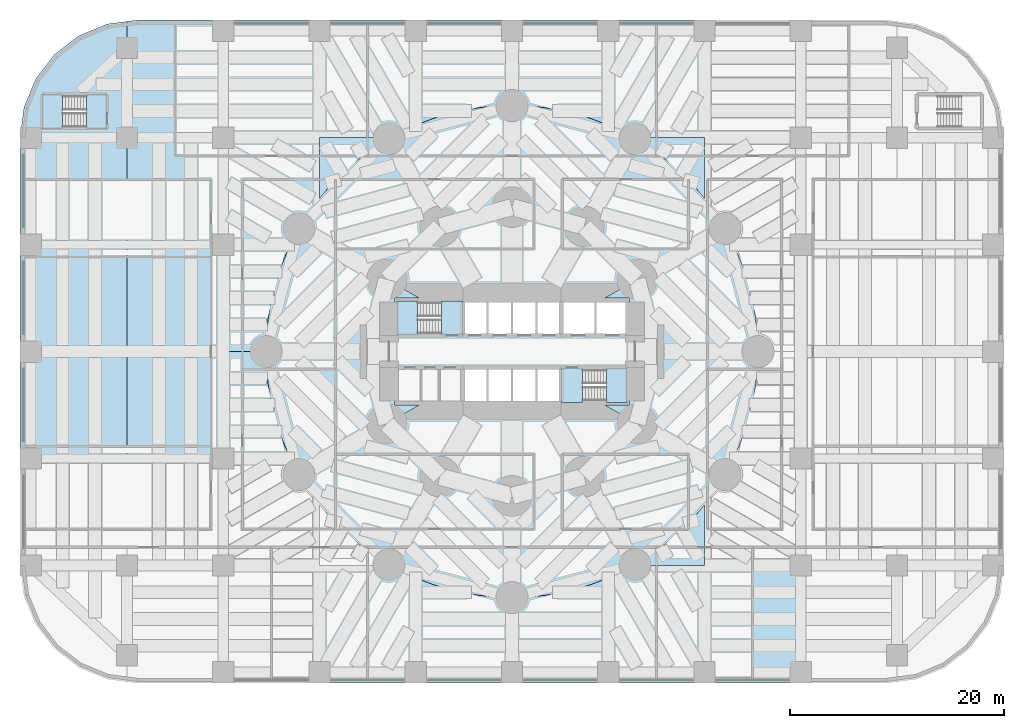
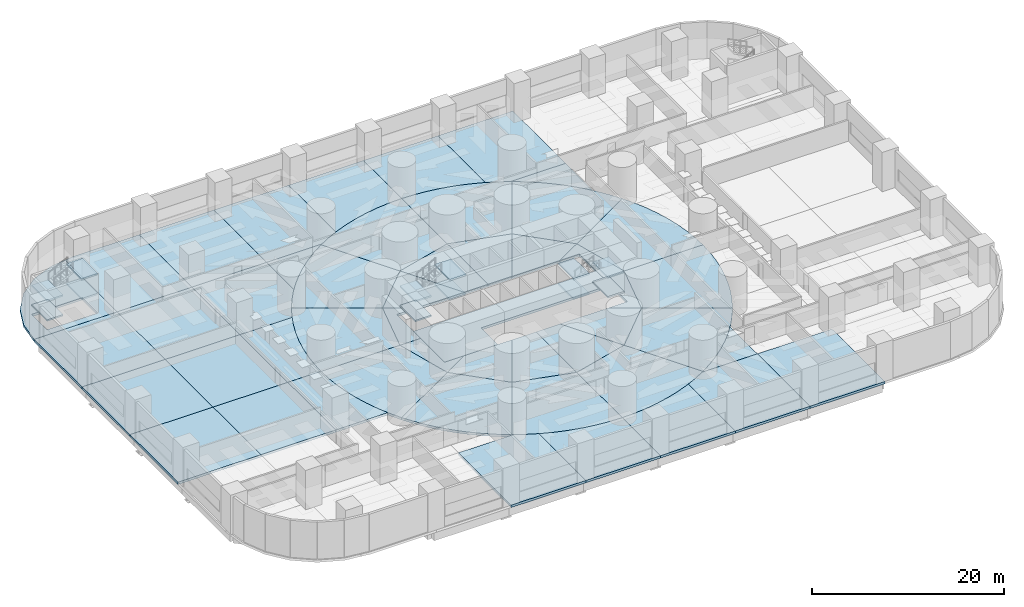
# One storey, part 5 of 17: 61 slabs, 3 elements without a shape of their own.
"""IFC4 building model written with IfcOpenShell, lengths in metres."""

from ifc_helpers import new_model, si_unit, direction, frame, origin, place, context, subcontext, project, spatial, polyline, outline, extrude, material, layer, layer_set, type_object, element, aggregate, save


model = new_model("IFC4")

# Units and contexts
model_context = context("Model", 3, precision=1e-05, world=origin(), true_north=direction((0.0, 1.0)))
body_context = subcontext(model_context, "Body", "Model", "MODEL_VIEW")
ifc_project = project(units=[si_unit("LENGTHUNIT", "METRE"), si_unit("AREAUNIT", "SQUARE_METRE"), si_unit("VOLUMEUNIT", "CUBIC_METRE"), si_unit("PLANEANGLEUNIT", "RADIAN"), si_unit("MASSUNIT", "GRAM", prefix="KILO")], contexts=[model_context])

# Site, building, storey
site_placement = place(None, origin())
site = spatial("IfcSite", under=ifc_project, at=site_placement, CompositionType="ELEMENT")
building_placement = place(site_placement, origin())
building = spatial("IfcBuilding", under=site, at=building_placement, Name="Qaws Media Tower", CompositionType="ELEMENT")
storey_placement = place(building_placement, frame((0.0, 0.0, 15.0)))
storey = spatial("IfcBuildingStorey", under=building, at=storey_placement, Name="L02", CompositionType="ELEMENT", Elevation=15.0)

# Slabs
ifc_material_1 = material(Name="Concrete C40/50", Category="concrete")
ifc_layer_1 = layer(ifc_material_1, 0.300048828125)
ifc_layer_set_1 = layer_set([ifc_layer_1], Name="Podium slab 300")
slab_type_1 = type_object("IfcSlabType", Name="Podium slab 300", PredefinedType="FLOOR", material=ifc_layer_set_1)
slab_1_placement = place(storey_placement, frame((0.0, 0.0, -0.300048828125)))
element("IfcSlab", 1, at=slab_1_placement, inside=storey, type_object=slab_type_1, Name="S3 slab L02 bay 1-2/C-D", PredefinedType="FLOOR", context=body_context, shape_type="SweptSolid", body=[
    extrude(outline(polyline([(14.0, 50.0), (24.0, 50.0), (24.0, 40.0), (14.0, 40.0), (14.0, 50.0)])), origin(), (0.0, 0.0, 1.0), 0.300048828125),
])
slab_2_placement = place(storey_placement, frame((0.0, 0.0, -0.300048828125)))
element("IfcSlab", 2, at=slab_2_placement, inside=storey, type_object=slab_type_1, Name="S3 slab L02 bay 1-2/D-E", PredefinedType="FLOOR", context=body_context, shape_type="SweptSolid", body=[
    extrude(outline(polyline([(14.0, 60.0), (24.0, 60.0), (24.0, 50.0), (14.0, 50.0), (14.0, 60.0)])), origin(), (0.0, 0.0, 1.0), 0.300048828125),
])
slab_3_placement = place(storey_placement, frame((0.0, 0.0, -0.300048828125)))
element("IfcSlab", 3, at=slab_3_placement, inside=storey, type_object=slab_type_1, Name="S3 slab L02 bay 1-2/E-F", PredefinedType="FLOOR", context=body_context, shape_type="SweptSolid", body=[
    extrude(outline(polyline([(14.0, 70.0), (24.0, 70.0), (24.0, 60.0), (14.0, 60.0), (14.0, 70.0)])), origin(), (0.0, 0.0, 1.0), 0.300048828125),
])
slab_4_placement = place(storey_placement, frame((0.0, 0.0, -0.300048828125)))
element("IfcSlab", 4, at=slab_4_placement, inside=storey, type_object=slab_type_1, Name="S3 slab L02 bay 1-2/F-G", PredefinedType="FLOOR", context=body_context, shape_type="SweptSolid", body=[
    extrude(outline(polyline([(14.374755859375, 72.846923828125), (15.4736328125, 75.5), (17.2216796875, 77.7783203125), (19.5, 79.5263671875), (22.153076171875, 80.625244140625), (24.0, 80.868408203125), (24.0, 70.0), (14.0, 70.0), (14.374755859375, 72.846923828125)]), holes=[polyline([(16.050048828125, 70.85009765625), (22.14990234375, 70.85009765625), (22.14990234375, 74.050048828125), (16.050048828125, 74.050048828125), (16.050048828125, 70.85009765625)])]), origin(), (0.0, 0.0, 1.0), 0.300048828125),
])
slab_5_placement = place(storey_placement, frame((0.0, 0.0, -0.300048828125)))
element("IfcSlab", 5, at=slab_5_placement, inside=storey, type_object=slab_type_1, Name="S3 slab L02 bay 2-3/C-D", PredefinedType="FLOOR", context=body_context, shape_type="SweptSolid", body=[
    extrude(outline(polyline([(24.0, 40.0), (24.0, 50.0), (33.0, 50.0), (33.0, 40.0), (24.0, 40.0)])), origin(), (0.0, 0.0, 1.0), 0.300048828125),
])
slab_6_placement = place(storey_placement, frame((0.0, 0.0, -0.300048828125)))
element("IfcSlab", 6, at=slab_6_placement, inside=storey, type_object=slab_type_1, Name="S3 slab L02 bay 2-3/D-E", PredefinedType="FLOOR", context=body_context, shape_type="SweptSolid", body=[
    extrude(outline(polyline([(24.0, 50.0), (24.0, 60.0), (33.0, 60.0), (33.0, 50.0), (24.0, 50.0)])), origin(), (0.0, 0.0, 1.0), 0.300048828125),
])
slab_7_placement = place(storey_placement, frame((0.0, 0.0, -0.300048828125)))
element("IfcSlab", 7, at=slab_7_placement, inside=storey, type_object=slab_type_1, Name="S3 slab L02 bay 2-3/E-F", PredefinedType="FLOOR", context=body_context, shape_type="SweptSolid", body=[
    extrude(outline(polyline([(24.0, 60.0), (24.0, 70.0), (33.0, 70.0), (33.0, 60.0), (24.0, 60.0)])), origin(), (0.0, 0.0, 1.0), 0.300048828125),
])
slab_8_placement = place(storey_placement, frame((0.0, 0.0, -0.300048828125)))
element("IfcSlab", 8, at=slab_8_placement, inside=storey, type_object=slab_type_1, Name="S3 slab L02 bay 2-3/F-G", PredefinedType="FLOOR", context=body_context, shape_type="SweptSolid", body=[
    extrude(outline(polyline([(25.0, 81.0), (33.0, 81.0), (33.0, 70.0), (24.0, 70.0), (24.0, 80.868408203125), (25.0, 81.0)])), origin(), (0.0, 0.0, 1.0), 0.300048828125),
])
slab_9_placement = place(storey_placement, frame((0.0, 0.0, -0.300048828125)))
element("IfcSlab", 9, at=slab_9_placement, inside=storey, type_object=slab_type_1, Name="S3 slab L02 bay 3-4/C-D", PredefinedType="FLOOR", context=body_context, shape_type="SweptSolid", body=[
    extrude(outline(polyline([(37.04931640625, 48.49560546875), (37.19677734375, 46.997802734375), (37.44189453125, 45.512939453125), (37.78369140625, 44.047119140625), (38.220703125, 42.60693359375), (38.750732421875, 41.1982421875), (39.293701171875, 40.0), (33.0, 40.0), (33.0, 50.0), (37.0, 50.0), (37.04931640625, 48.49560546875)])), origin(), (0.0, 0.0, 1.0), 0.300048828125),
])
slab_10_placement = place(storey_placement, frame((0.0, 0.0, -0.300048828125)))
element("IfcSlab", 10, at=slab_10_placement, inside=storey, type_object=slab_type_1, Name="S3 slab L02 bay 3-4/D-E", PredefinedType="FLOOR", context=body_context, shape_type="SweptSolid", body=[
    extrude(outline(polyline([(38.750732421875, 58.8017578125), (38.220703125, 57.39306640625), (37.78369140625, 55.952880859375), (37.44189453125, 54.487060546875), (37.19677734375, 53.002197265625), (37.04931640625, 51.50439453125), (37.0, 50.0), (33.0, 50.0), (33.0, 60.0), (39.293701171875, 60.0), (38.750732421875, 58.8017578125)])), origin(), (0.0, 0.0, 1.0), 0.300048828125),
])
slab_11_placement = place(storey_placement, frame((0.0, 0.0, -0.300048828125)))
element("IfcSlab", 11, at=slab_11_placement, inside=storey, type_object=slab_type_1, Name="S3 slab L02 bay 3-4/E-F", PredefinedType="FLOOR", context=body_context, shape_type="SweptSolid", body=[
    extrude(outline(polyline([(41.7529296875, 64.00146484375), (40.876220703125, 62.778076171875), (40.081298828125, 61.5), (39.371826171875, 60.172607421875), (39.293701171875, 60.0), (33.0, 60.0), (33.0, 70.0), (42.0, 70.0), (42.0, 64.302490234375), (41.7529296875, 64.00146484375)])), origin(), (0.0, 0.0, 1.0), 0.300048828125),
])
slab_12_placement = place(storey_placement, frame((0.0, 0.0, -0.300048828125)))
element("IfcSlab", 12, at=slab_12_placement, inside=storey, type_object=slab_type_1, Name="S3 slab L02 bay 3-4/F-G", PredefinedType="FLOOR", context=body_context, shape_type="SweptSolid", body=[
    extrude(outline(polyline([(42.0, 81.0), (42.0, 70.0), (33.0, 70.0), (33.0, 81.0), (42.0, 81.0)])), origin(), (0.0, 0.0, 1.0), 0.300048828125),
])
slab_13_placement = place(storey_placement, frame((0.0, 0.0, -0.300048828125)))
element("IfcSlab", 13, at=slab_13_placement, inside=storey, type_object=slab_type_1, Name="S3 slab L02 bay 4-5/A-B", PredefinedType="FLOOR", context=body_context, shape_type="SweptSolid", body=[
    extrude(outline(polyline([(42.0, 19.0), (42.0, 30.0), (48.65234375, 30.0), (49.827392578125, 29.371826171875), (51.0, 28.840576171875), (51.0, 19.0), (42.0, 19.0)])), origin(), (0.0, 0.0, 1.0), 0.300048828125),
])
slab_14_placement = place(storey_placement, frame((0.0, 0.0, -0.300048828125)))
element("IfcSlab", 14, at=slab_14_placement, inside=storey, type_object=slab_type_1, Name="S3 slab L02 bay 4-5/E-F", PredefinedType="FLOOR", context=body_context, shape_type="SweptSolid", body=[
    extrude(outline(polyline([(48.5, 69.918701171875), (47.221923828125, 69.123779296875), (45.99853515625, 68.2470703125), (44.8349609375, 67.292236328125), (43.736572265625, 66.263427734375), (42.707763671875, 65.1650390625), (42.0, 64.302490234375), (42.0, 70.0), (48.65234375, 70.0), (48.5, 69.918701171875)])), origin(), (0.0, 0.0, 1.0), 0.300048828125),
])
slab_15_placement = place(storey_placement, frame((0.0, 0.0, -0.300048828125)))
element("IfcSlab", 15, at=slab_15_placement, inside=storey, type_object=slab_type_1, Name="S3 slab L02 bay 4-5/F-G", PredefinedType="FLOOR", context=body_context, shape_type="SweptSolid", body=[
    extrude(outline(polyline([(51.0, 81.0), (51.0, 71.159423828125), (49.827392578125, 70.628173828125), (48.65234375, 70.0), (42.0, 70.0), (42.0, 81.0), (51.0, 81.0)])), origin(), (0.0, 0.0, 1.0), 0.300048828125),
])
slab_16_placement = place(storey_placement, frame((0.0, 0.0, -0.300048828125)))
element("IfcSlab", 16, at=slab_16_placement, inside=storey, type_object=slab_type_1, Name="S3 slab L02 bay 5-6/A-B", PredefinedType="FLOOR", context=body_context, shape_type="SweptSolid", body=[
    extrude(outline(polyline([(51.0, 19.0), (51.0, 28.840576171875), (51.1982421875, 28.750732421875), (52.60693359375, 28.220703125), (54.047119140625, 27.78369140625), (55.512939453125, 27.44189453125), (56.997802734375, 27.19677734375), (58.49560546875, 27.04931640625), (60.0, 27.0), (60.0, 19.0), (51.0, 19.0)])), origin(), (0.0, 0.0, 1.0), 0.300048828125),
])
slab_17_placement = place(storey_placement, frame((0.0, 0.0, -0.300048828125)))
element("IfcSlab", 17, at=slab_17_placement, inside=storey, type_object=slab_type_1, Name="S3 slab L02 bay 5-6/F-G", PredefinedType="FLOOR", context=body_context, shape_type="SweptSolid", body=[
    extrude(outline(polyline([(60.0, 81.0), (60.0, 73.0), (58.49560546875, 72.95068359375), (56.997802734375, 72.80322265625), (55.512939453125, 72.55810546875), (54.047119140625, 72.21630859375), (52.60693359375, 71.779296875), (51.1982421875, 71.249267578125), (51.0, 71.159423828125), (51.0, 81.0), (60.0, 81.0)])), origin(), (0.0, 0.0, 1.0), 0.300048828125),
])
slab_18_placement = place(storey_placement, frame((0.0, 0.0, -0.300048828125)))
element("IfcSlab", 18, at=slab_18_placement, inside=storey, type_object=slab_type_1, Name="S3 slab L02 bay 6-7/A-B", PredefinedType="FLOOR", context=body_context, shape_type="SweptSolid", body=[
    extrude(outline(polyline([(60.0, 19.0), (60.0, 27.0), (61.50439453125, 27.04931640625), (63.002197265625, 27.19677734375), (64.487060546875, 27.44189453125), (65.952880859375, 27.78369140625), (67.39306640625, 28.220703125), (68.8017578125, 28.750732421875), (69.0, 28.840576171875), (69.0, 19.0), (60.0, 19.0)])), origin(), (0.0, 0.0, 1.0), 0.300048828125),
])
slab_19_placement = place(storey_placement, frame((0.0, 0.0, -0.300048828125)))
element("IfcSlab", 19, at=slab_19_placement, inside=storey, type_object=slab_type_1, Name="S3 slab L02 bay 6-7/F-G", PredefinedType="FLOOR", context=body_context, shape_type="SweptSolid", body=[
    extrude(outline(polyline([(69.0, 81.0), (69.0, 71.159423828125), (68.8017578125, 71.249267578125), (67.39306640625, 71.779296875), (65.952880859375, 72.21630859375), (64.487060546875, 72.55810546875), (63.002197265625, 72.80322265625), (61.50439453125, 72.95068359375), (60.0, 73.0), (60.0, 81.0), (69.0, 81.0)])), origin(), (0.0, 0.0, 1.0), 0.300048828125),
])
slab_20_placement = place(storey_placement, frame((0.0, 0.0, -0.300048828125)))
element("IfcSlab", 20, at=slab_20_placement, inside=storey, type_object=slab_type_1, Name="S3 slab L02 bay 7-8/A-B", PredefinedType="FLOOR", context=body_context, shape_type="SweptSolid", body=[
    extrude(outline(polyline([(69.0, 19.0), (69.0, 28.840576171875), (70.172607421875, 29.371826171875), (71.34765625, 30.0), (78.0, 30.0), (78.0, 19.0), (69.0, 19.0)])), origin(), (0.0, 0.0, 1.0), 0.300048828125),
])
slab_21_placement = place(storey_placement, frame((0.0, 0.0, -0.300048828125)))
element("IfcSlab", 21, at=slab_21_placement, inside=storey, type_object=slab_type_1, Name="S3 slab L02 bay 7-8/B-C", PredefinedType="FLOOR", context=body_context, shape_type="SweptSolid", body=[
    extrude(outline(polyline([(71.5, 30.081298828125), (72.778076171875, 30.876220703125), (74.00146484375, 31.7529296875), (75.1650390625, 32.707763671875), (76.263427734375, 33.736572265625), (77.292236328125, 34.8349609375), (78.0, 35.697509765625), (78.0, 30.0), (71.34765625, 30.0), (71.5, 30.081298828125)])), origin(), (0.0, 0.0, 1.0), 0.300048828125),
])
slab_22_placement = place(storey_placement, frame((0.0, 0.0, -0.300048828125)))
element("IfcSlab", 22, at=slab_22_placement, inside=storey, type_object=slab_type_1, Name="S3 slab L02 bay 7-8/E-F", PredefinedType="FLOOR", context=body_context, shape_type="SweptSolid", body=[
    extrude(outline(polyline([(77.292236328125, 65.1650390625), (76.263427734375, 66.263427734375), (75.1650390625, 67.292236328125), (74.00146484375, 68.2470703125), (72.778076171875, 69.123779296875), (71.5, 69.918701171875), (71.34765625, 70.0), (78.0, 70.0), (78.0, 64.302490234375), (77.292236328125, 65.1650390625)])), origin(), (0.0, 0.0, 1.0), 0.300048828125),
])
slab_23_placement = place(storey_placement, frame((0.0, 0.0, -0.300048828125)))
element("IfcSlab", 23, at=slab_23_placement, inside=storey, type_object=slab_type_1, Name="S3 slab L02 bay 7-8/F-G", PredefinedType="FLOOR", context=body_context, shape_type="SweptSolid", body=[
    extrude(outline(polyline([(78.0, 81.0), (78.0, 70.0), (71.34765625, 70.0), (70.172607421875, 70.628173828125), (69.0, 71.159423828125), (69.0, 81.0), (78.0, 81.0)])), origin(), (0.0, 0.0, 1.0), 0.300048828125),
])
slab_24_placement = place(storey_placement, frame((0.0, 0.0, -0.300048828125)))
element("IfcSlab", 24, at=slab_24_placement, inside=storey, type_object=slab_type_1, Name="S3 slab L02 bay 8-9/A-B", PredefinedType="FLOOR", context=body_context, shape_type="SweptSolid", body=[
    extrude(outline(polyline([(78.0, 19.0), (78.0, 30.0), (87.0, 30.0), (87.0, 19.0), (78.0, 19.0)])), origin(), (0.0, 0.0, 1.0), 0.300048828125),
])
slab_25_placement = place(storey_placement, frame((0.0, 0.0, -0.300048828125)))
element("IfcSlab", 25, at=slab_25_placement, inside=storey, type_object=slab_type_1, Name="S3 slab L02 tower sector R01-R03 outer", PredefinedType="FLOOR", context=body_context, shape_type="SweptSolid", body=[
    extrude(outline(polyline([(82.80322265625, 53.002197265625), (82.95068359375, 51.50439453125), (83.0, 50.0), (73.5, 50.0), (71.69140625, 56.75), (79.918701171875, 61.5), (80.628173828125, 60.172607421875), (81.249267578125, 58.8017578125), (81.779296875, 57.39306640625), (82.21630859375, 55.952880859375), (82.55810546875, 54.487060546875), (82.80322265625, 53.002197265625)])), origin(), (0.0, 0.0, 1.0), 0.300048828125),
])
slab_26_placement = place(storey_placement, frame((0.0, 0.0, -0.300048828125)))
element("IfcSlab", 26, at=slab_26_placement, inside=storey, type_object=slab_type_1, Name="S3 slab L02 tower sector R01-R03 inner", PredefinedType="FLOOR", context=body_context, shape_type="SweptSolid", body=[
    extrude(outline(polyline([(71.0, 50.0), (71.0, 55.0), (68.660400390625, 55.0), (71.69140625, 56.75), (73.5, 50.0), (71.0, 50.0)])), origin(), (0.0, 0.0, 1.0), 0.300048828125),
])
slab_27_placement = place(storey_placement, frame((0.0, 0.0, -0.300048828125)))
element("IfcSlab", 27, at=slab_27_placement, inside=storey, type_object=slab_type_1, Name="S3 slab L02 tower sector R03-R05 outer", PredefinedType="FLOOR", context=body_context, shape_type="SweptSolid", body=[
    extrude(outline(polyline([(78.2470703125, 64.00146484375), (79.123779296875, 62.778076171875), (79.918701171875, 61.5), (71.69140625, 56.75), (66.75, 61.69140625), (71.5, 69.918701171875), (72.778076171875, 69.123779296875), (74.00146484375, 68.2470703125), (75.1650390625, 67.292236328125), (76.263427734375, 66.263427734375), (77.292236328125, 65.1650390625), (78.2470703125, 64.00146484375)])), origin(), (0.0, 0.0, 1.0), 0.300048828125),
])
slab_28_placement = place(storey_placement, frame((0.0, 0.0, -0.300048828125)))
element("IfcSlab", 28, at=slab_28_placement, inside=storey, type_object=slab_type_1, Name="S3 slab L02 tower sector R03-R05 inner", PredefinedType="FLOOR", context=body_context, shape_type="SweptSolid", body=[
    extrude(outline(polyline([(68.660400390625, 55.0), (62.88671875, 55.0), (66.75, 61.69140625), (71.69140625, 56.75), (68.660400390625, 55.0)])), origin(), (0.0, 0.0, 1.0), 0.300048828125),
])
slab_29_placement = place(storey_placement, frame((0.0, 0.0, -0.300048828125)))
element("IfcSlab", 29, at=slab_29_placement, inside=storey, type_object=slab_type_1, Name="S3 slab L02 tower sector R05-R07 outer", PredefinedType="FLOOR", context=body_context, shape_type="SweptSolid", body=[
    extrude(outline(polyline([(68.8017578125, 71.249267578125), (70.172607421875, 70.628173828125), (71.5, 69.918701171875), (66.75, 61.69140625), (60.0, 63.5), (60.0, 73.0), (61.50439453125, 72.95068359375), (63.002197265625, 72.80322265625), (64.487060546875, 72.55810546875), (65.952880859375, 72.21630859375), (67.39306640625, 71.779296875), (68.8017578125, 71.249267578125)])), origin(), (0.0, 0.0, 1.0), 0.300048828125),
])
slab_30_placement = place(storey_placement, frame((0.0, 0.0, -0.300048828125)))
element("IfcSlab", 30, at=slab_30_placement, inside=storey, type_object=slab_type_1, Name="S3 slab L02 tower sector R05-R07 inner", PredefinedType="FLOOR", context=body_context, shape_type="SweptSolid", body=[
    extrude(outline(polyline([(62.88671875, 55.0), (60.0, 55.0), (60.0, 63.5), (66.75, 61.69140625), (62.88671875, 55.0)])), origin(), (0.0, 0.0, 1.0), 0.300048828125),
])
slab_31_placement = place(storey_placement, frame((0.0, 0.0, -0.300048828125)))
element("IfcSlab", 31, at=slab_31_placement, inside=storey, type_object=slab_type_1, Name="S3 slab L02 tower sector R07-R09 outer", PredefinedType="FLOOR", context=body_context, shape_type="SweptSolid", body=[
    extrude(outline(polyline([(56.997802734375, 72.80322265625), (58.49560546875, 72.95068359375), (60.0, 73.0), (60.0, 63.5), (53.25, 61.69140625), (48.5, 69.918701171875), (49.827392578125, 70.628173828125), (51.1982421875, 71.249267578125), (52.60693359375, 71.779296875), (54.047119140625, 72.21630859375), (55.512939453125, 72.55810546875), (56.997802734375, 72.80322265625)])), origin(), (0.0, 0.0, 1.0), 0.300048828125),
])
slab_32_placement = place(storey_placement, frame((0.0, 0.0, -0.300048828125)))
element("IfcSlab", 32, at=slab_32_placement, inside=storey, type_object=slab_type_1, Name="S3 slab L02 tower sector R07-R09 inner", PredefinedType="FLOOR", context=body_context, shape_type="SweptSolid", body=[
    extrude(outline(polyline([(60.0, 55.0), (57.11328125, 55.0), (53.25, 61.69140625), (60.0, 63.5), (60.0, 55.0)])), origin(), (0.0, 0.0, 1.0), 0.300048828125),
])
slab_33_placement = place(storey_placement, frame((0.0, 0.0, -0.300048828125)))
element("IfcSlab", 33, at=slab_33_placement, inside=storey, type_object=slab_type_1, Name="S3 slab L02 tower sector R09-R11 outer", PredefinedType="FLOOR", context=body_context, shape_type="SweptSolid", body=[
    extrude(outline(polyline([(45.99853515625, 68.2470703125), (47.221923828125, 69.123779296875), (48.5, 69.918701171875), (53.25, 61.69140625), (48.30859375, 56.75), (40.081298828125, 61.5), (40.876220703125, 62.778076171875), (41.7529296875, 64.00146484375), (42.707763671875, 65.1650390625), (43.736572265625, 66.263427734375), (44.8349609375, 67.292236328125), (45.99853515625, 68.2470703125)])), origin(), (0.0, 0.0, 1.0), 0.300048828125),
])
slab_34_placement = place(storey_placement, frame((0.0, 0.0, -0.300048828125)))
element("IfcSlab", 34, at=slab_34_placement, inside=storey, type_object=slab_type_1, Name="S3 slab L02 tower sector R09-R11 inner", PredefinedType="FLOOR", context=body_context, shape_type="SweptSolid", body=[
    extrude(outline(polyline([(57.11328125, 55.0), (51.339599609375, 55.0), (48.30859375, 56.75), (53.25, 61.69140625), (57.11328125, 55.0)])), origin(), (0.0, 0.0, 1.0), 0.300048828125),
])
slab_35_placement = place(storey_placement, frame((0.0, 0.0, -0.300048828125)))
element("IfcSlab", 35, at=slab_35_placement, inside=storey, type_object=slab_type_1, Name="S3 slab L02 tower sector R11-R13 outer", PredefinedType="FLOOR", context=body_context, shape_type="SweptSolid", body=[
    extrude(outline(polyline([(38.750732421875, 58.8017578125), (39.371826171875, 60.172607421875), (40.081298828125, 61.5), (48.30859375, 56.75), (46.5, 50.0), (37.0, 50.0), (37.04931640625, 51.50439453125), (37.19677734375, 53.002197265625), (37.44189453125, 54.487060546875), (37.78369140625, 55.952880859375), (38.220703125, 57.39306640625), (38.750732421875, 58.8017578125)])), origin(), (0.0, 0.0, 1.0), 0.300048828125),
])
slab_36_placement = place(storey_placement, frame((0.0, 0.0, -0.300048828125)))
element("IfcSlab", 36, at=slab_36_placement, inside=storey, type_object=slab_type_1, Name="S3 slab L02 tower sector R11-R13 inner", PredefinedType="FLOOR", context=body_context, shape_type="SweptSolid", body=[
    extrude(outline(polyline([(51.339599609375, 55.0), (49.0, 55.0), (49.0, 50.0), (46.5, 50.0), (48.30859375, 56.75), (51.339599609375, 55.0)])), origin(), (0.0, 0.0, 1.0), 0.300048828125),
])
slab_37_placement = place(storey_placement, frame((0.0, 0.0, -0.300048828125)))
element("IfcSlab", 37, at=slab_37_placement, inside=storey, type_object=slab_type_1, Name="S3 slab L02 tower sector R13-R15 outer", PredefinedType="FLOOR", context=body_context, shape_type="SweptSolid", body=[
    extrude(outline(polyline([(37.19677734375, 46.997802734375), (37.04931640625, 48.49560546875), (37.0, 50.0), (46.5, 50.0), (48.30859375, 43.25), (40.081298828125, 38.5), (39.371826171875, 39.827392578125), (38.750732421875, 41.1982421875), (38.220703125, 42.60693359375), (37.78369140625, 44.047119140625), (37.44189453125, 45.512939453125), (37.19677734375, 46.997802734375)])), origin(), (0.0, 0.0, 1.0), 0.300048828125),
])
slab_38_placement = place(storey_placement, frame((0.0, 0.0, -0.300048828125)))
element("IfcSlab", 38, at=slab_38_placement, inside=storey, type_object=slab_type_1, Name="S3 slab L02 tower sector R13-R15 inner", PredefinedType="FLOOR", context=body_context, shape_type="SweptSolid", body=[
    extrude(outline(polyline([(49.0, 50.0), (49.0, 45.0), (51.339599609375, 45.0), (48.30859375, 43.25), (46.5, 50.0), (49.0, 50.0)])), origin(), (0.0, 0.0, 1.0), 0.300048828125),
])
slab_39_placement = place(storey_placement, frame((0.0, 0.0, -0.300048828125)))
element("IfcSlab", 39, at=slab_39_placement, inside=storey, type_object=slab_type_1, Name="S3 slab L02 tower sector R15-R17 outer", PredefinedType="FLOOR", context=body_context, shape_type="SweptSolid", body=[
    extrude(outline(polyline([(41.7529296875, 35.99853515625), (40.876220703125, 37.221923828125), (40.081298828125, 38.5), (48.30859375, 43.25), (53.25, 38.30859375), (48.5, 30.081298828125), (47.221923828125, 30.876220703125), (45.99853515625, 31.7529296875), (44.8349609375, 32.707763671875), (43.736572265625, 33.736572265625), (42.707763671875, 34.8349609375), (41.7529296875, 35.99853515625)])), origin(), (0.0, 0.0, 1.0), 0.300048828125),
])
slab_40_placement = place(storey_placement, frame((0.0, 0.0, -0.300048828125)))
element("IfcSlab", 40, at=slab_40_placement, inside=storey, type_object=slab_type_1, Name="S3 slab L02 tower sector R15-R17 inner", PredefinedType="FLOOR", context=body_context, shape_type="SweptSolid", body=[
    extrude(outline(polyline([(51.339599609375, 45.0), (57.11328125, 45.0), (53.25, 38.30859375), (48.30859375, 43.25), (51.339599609375, 45.0)])), origin(), (0.0, 0.0, 1.0), 0.300048828125),
])
slab_41_placement = place(storey_placement, frame((0.0, 0.0, -0.300048828125)))
element("IfcSlab", 41, at=slab_41_placement, inside=storey, type_object=slab_type_1, Name="S3 slab L02 tower sector R17-R19 outer", PredefinedType="FLOOR", context=body_context, shape_type="SweptSolid", body=[
    extrude(outline(polyline([(51.1982421875, 28.750732421875), (49.827392578125, 29.371826171875), (48.5, 30.081298828125), (53.25, 38.30859375), (60.0, 36.5), (60.0, 27.0), (58.49560546875, 27.04931640625), (56.997802734375, 27.19677734375), (55.512939453125, 27.44189453125), (54.047119140625, 27.78369140625), (52.60693359375, 28.220703125), (51.1982421875, 28.750732421875)])), origin(), (0.0, 0.0, 1.0), 0.300048828125),
])
slab_42_placement = place(storey_placement, frame((0.0, 0.0, -0.300048828125)))
element("IfcSlab", 42, at=slab_42_placement, inside=storey, type_object=slab_type_1, Name="S3 slab L02 tower sector R17-R19 inner", PredefinedType="FLOOR", context=body_context, shape_type="SweptSolid", body=[
    extrude(outline(polyline([(57.11328125, 45.0), (60.0, 45.0), (60.0, 36.5), (53.25, 38.30859375), (57.11328125, 45.0)])), origin(), (0.0, 0.0, 1.0), 0.300048828125),
])
slab_43_placement = place(storey_placement, frame((0.0, 0.0, -0.300048828125)))
element("IfcSlab", 43, at=slab_43_placement, inside=storey, type_object=slab_type_1, Name="S3 slab L02 tower sector R19-R21 outer", PredefinedType="FLOOR", context=body_context, shape_type="SweptSolid", body=[
    extrude(outline(polyline([(63.002197265625, 27.19677734375), (61.50439453125, 27.04931640625), (60.0, 27.0), (60.0, 36.5), (66.75, 38.30859375), (71.5, 30.081298828125), (70.172607421875, 29.371826171875), (68.8017578125, 28.750732421875), (67.39306640625, 28.220703125), (65.952880859375, 27.78369140625), (64.487060546875, 27.44189453125), (63.002197265625, 27.19677734375)])), origin(), (0.0, 0.0, 1.0), 0.300048828125),
])
slab_44_placement = place(storey_placement, frame((0.0, 0.0, -0.300048828125)))
element("IfcSlab", 44, at=slab_44_placement, inside=storey, type_object=slab_type_1, Name="S3 slab L02 tower sector R19-R21 inner", PredefinedType="FLOOR", context=body_context, shape_type="SweptSolid", body=[
    extrude(outline(polyline([(60.0, 45.0), (62.88671875, 45.0), (66.75, 38.30859375), (60.0, 36.5), (60.0, 45.0)])), origin(), (0.0, 0.0, 1.0), 0.300048828125),
])
slab_45_placement = place(storey_placement, frame((0.0, 0.0, -0.300048828125)))
element("IfcSlab", 45, at=slab_45_placement, inside=storey, type_object=slab_type_1, Name="S3 slab L02 tower sector R21-R23 outer", PredefinedType="FLOOR", context=body_context, shape_type="SweptSolid", body=[
    extrude(outline(polyline([(74.00146484375, 31.7529296875), (72.778076171875, 30.876220703125), (71.5, 30.081298828125), (66.75, 38.30859375), (71.69140625, 43.25), (79.918701171875, 38.5), (79.123779296875, 37.221923828125), (78.2470703125, 35.99853515625), (77.292236328125, 34.8349609375), (76.263427734375, 33.736572265625), (75.1650390625, 32.707763671875), (74.00146484375, 31.7529296875)])), origin(), (0.0, 0.0, 1.0), 0.300048828125),
])
slab_46_placement = place(storey_placement, frame((0.0, 0.0, -0.300048828125)))
element("IfcSlab", 46, at=slab_46_placement, inside=storey, type_object=slab_type_1, Name="S3 slab L02 tower sector R21-R23 inner", PredefinedType="FLOOR", context=body_context, shape_type="SweptSolid", body=[
    extrude(outline(polyline([(62.88671875, 45.0), (68.660400390625, 45.0), (71.69140625, 43.25), (66.75, 38.30859375), (62.88671875, 45.0)])), origin(), (0.0, 0.0, 1.0), 0.300048828125),
])
slab_47_placement = place(storey_placement, frame((0.0, 0.0, -0.300048828125)))
element("IfcSlab", 47, at=slab_47_placement, inside=storey, type_object=slab_type_1, Name="S3 slab L02 tower sector R23-R01 outer", PredefinedType="FLOOR", context=body_context, shape_type="SweptSolid", body=[
    extrude(outline(polyline([(81.249267578125, 41.1982421875), (80.628173828125, 39.827392578125), (79.918701171875, 38.5), (71.69140625, 43.25), (73.5, 50.0), (83.0, 50.0), (82.95068359375, 48.49560546875), (82.80322265625, 46.997802734375), (82.55810546875, 45.512939453125), (82.21630859375, 44.047119140625), (81.779296875, 42.60693359375), (81.249267578125, 41.1982421875)])), origin(), (0.0, 0.0, 1.0), 0.300048828125),
])
slab_48_placement = place(storey_placement, frame((0.0, 0.0, -0.300048828125)))
element("IfcSlab", 48, at=slab_48_placement, inside=storey, type_object=slab_type_1, Name="S3 slab L02 tower sector R23-R01 inner", PredefinedType="FLOOR", context=body_context, shape_type="SweptSolid", body=[
    extrude(outline(polyline([(68.660400390625, 45.0), (71.0, 45.0), (71.0, 50.0), (73.5, 50.0), (71.69140625, 43.25), (68.660400390625, 45.0)])), origin(), (0.0, 0.0, 1.0), 0.300048828125),
])
slab_49_placement = place(storey_placement, frame((0.0, 0.0, -0.300048828125)))
element("IfcSlab", 49, at=slab_49_placement, inside=storey, type_object=slab_type_1, Name="S3 core floor slab L02", PredefinedType="FLOOR", context=body_context, shape_type="SweptSolid", body=[
    extrude(outline(polyline([(55.39990234375, 48.5), (55.39990234375, 45.0), (49.0, 45.0), (49.0, 51.5), (71.0, 51.5), (71.0, 48.5), (55.39990234375, 48.5)])), origin(), (0.0, 0.0, 1.0), 0.300048828125),
])

# Stair, slabs
ifc_material_2 = material(Name="Concrete C40/50", Category="concrete")
stair_type = type_object("IfcStairType", Name="Exit stair", PredefinedType="HALF_TURN_STAIR", material=ifc_material_2)
stair_1_placement = place(storey_placement, origin())
stair_1 = element("IfcStair", 50, at=stair_1_placement, inside=storey, type_object=stair_type, Name="S1 exit stair L02", PredefinedType="HALF_TURN_STAIR")
ifc_material_3 = material(Name="Concrete C40/50", Category="concrete")
ifc_layer_2 = layer(ifc_material_3, 0.199951171875)
ifc_layer_set_2 = layer_set([ifc_layer_2], Name="Stair landing 200")
slab_type_2 = type_object("IfcSlabType", Name="Stair landing 200", PredefinedType="LANDING", material=ifc_layer_set_2)
slab_50_placement = place(storey_placement, frame((0.0, 0.0, 1.050048828125)))
slab_50 = element("IfcSlab", 51, at=slab_50_placement, type_object=slab_type_2, Name="S1 landing 1", PredefinedType="LANDING", context=body_context, shape_type="SweptSolid", body=[
    extrude(outline(polyline([(49.25, 51.550048828125), (51.179931640625, 51.550048828125), (51.179931640625, 54.75), (49.25, 54.75), (49.25, 51.550048828125)])), origin(), (0.0, 0.0, 1.0), 0.199951171875),
])
slab_51_placement = place(storey_placement, frame((0.0, 0.0, 2.300048828125)))
slab_51 = element("IfcSlab", 52, at=slab_51_placement, type_object=slab_type_2, Name="S1 landing 2", PredefinedType="LANDING", context=body_context, shape_type="SweptSolid", body=[
    extrude(outline(polyline([(53.419921875, 51.550048828125), (55.35009765625, 51.550048828125), (55.35009765625, 54.75), (53.419921875, 54.75), (53.419921875, 51.550048828125)])), origin(), (0.0, 0.0, 1.0), 0.199951171875),
])
slab_52_placement = place(storey_placement, frame((0.0, 0.0, 3.550048828125)))
slab_52 = element("IfcSlab", 53, at=slab_52_placement, type_object=slab_type_2, Name="S1 landing 3", PredefinedType="LANDING", context=body_context, shape_type="SweptSolid", body=[
    extrude(outline(polyline([(49.25, 51.550048828125), (51.179931640625, 51.550048828125), (51.179931640625, 54.75), (49.25, 54.75), (49.25, 51.550048828125)])), origin(), (0.0, 0.0, 1.0), 0.199951171875),
])
slab_53_placement = place(storey_placement, frame((0.0, 0.0, 4.800048828125)))
slab_53 = element("IfcSlab", 54, at=slab_53_placement, type_object=slab_type_2, Name="S1 landing 4", PredefinedType="LANDING", context=body_context, shape_type="SweptSolid", body=[
    extrude(outline(polyline([(53.419921875, 51.550048828125), (55.35009765625, 51.550048828125), (55.35009765625, 54.75), (53.419921875, 54.75), (53.419921875, 51.550048828125)])), origin(), (0.0, 0.0, 1.0), 0.199951171875),
])
aggregate(stair_1, [slab_50, slab_51, slab_52, slab_53])

stair_2_placement = place(storey_placement, origin())
stair_2 = element("IfcStair", 55, at=stair_2_placement, inside=storey, type_object=stair_type, Name="S2 exit stair L02", PredefinedType="HALF_TURN_STAIR")
slab_54_placement = place(storey_placement, frame((0.0, 0.0, 1.050048828125)))
slab_54 = element("IfcSlab", 56, at=slab_54_placement, type_object=slab_type_2, Name="S2 landing 1", PredefinedType="LANDING", context=body_context, shape_type="SweptSolid", body=[
    extrude(outline(polyline([(68.820068359375, 45.25), (70.75, 45.25), (70.75, 48.449951171875), (68.820068359375, 48.449951171875), (68.820068359375, 45.25)])), origin(), (0.0, 0.0, 1.0), 0.199951171875),
])
slab_55_placement = place(storey_placement, frame((0.0, 0.0, 2.300048828125)))
slab_55 = element("IfcSlab", 57, at=slab_55_placement, type_object=slab_type_2, Name="S2 landing 2", PredefinedType="LANDING", context=body_context, shape_type="SweptSolid", body=[
    extrude(outline(polyline([(64.64990234375, 45.25), (66.580078125, 45.25), (66.580078125, 48.449951171875), (64.64990234375, 48.449951171875), (64.64990234375, 45.25)])), origin(), (0.0, 0.0, 1.0), 0.199951171875),
])
slab_56_placement = place(storey_placement, frame((0.0, 0.0, 3.550048828125)))
slab_56 = element("IfcSlab", 58, at=slab_56_placement, type_object=slab_type_2, Name="S2 landing 3", PredefinedType="LANDING", context=body_context, shape_type="SweptSolid", body=[
    extrude(outline(polyline([(68.820068359375, 45.25), (70.75, 45.25), (70.75, 48.449951171875), (68.820068359375, 48.449951171875), (68.820068359375, 45.25)])), origin(), (0.0, 0.0, 1.0), 0.199951171875),
])
slab_57_placement = place(storey_placement, frame((0.0, 0.0, 4.800048828125)))
slab_57 = element("IfcSlab", 59, at=slab_57_placement, type_object=slab_type_2, Name="S2 landing 4", PredefinedType="LANDING", context=body_context, shape_type="SweptSolid", body=[
    extrude(outline(polyline([(64.64990234375, 45.25), (66.580078125, 45.25), (66.580078125, 48.449951171875), (64.64990234375, 48.449951171875), (64.64990234375, 45.25)])), origin(), (0.0, 0.0, 1.0), 0.199951171875),
])
aggregate(stair_2, [slab_54, slab_55, slab_56, slab_57])

stair_3_placement = place(storey_placement, origin())
stair_3 = element("IfcStair", 60, at=stair_3_placement, inside=storey, type_object=stair_type, Name="S3 exit stair L02", PredefinedType="HALF_TURN_STAIR")
slab_58_placement = place(storey_placement, frame((0.0, 0.0, 1.050048828125)))
slab_58 = element("IfcSlab", 61, at=slab_58_placement, type_object=slab_type_2, Name="S3 landing 1", PredefinedType="LANDING", context=body_context, shape_type="SweptSolid", body=[
    extrude(outline(polyline([(16.050048828125, 70.85009765625), (17.97998046875, 70.85009765625), (17.97998046875, 74.050048828125), (16.050048828125, 74.050048828125), (16.050048828125, 70.85009765625)])), origin(), (0.0, 0.0, 1.0), 0.199951171875),
])
slab_59_placement = place(storey_placement, frame((0.0, 0.0, 2.300048828125)))
slab_59 = element("IfcSlab", 62, at=slab_59_placement, type_object=slab_type_2, Name="S3 landing 2", PredefinedType="LANDING", context=body_context, shape_type="SweptSolid", body=[
    extrude(outline(polyline([(20.219970703125, 70.85009765625), (22.14990234375, 70.85009765625), (22.14990234375, 74.050048828125), (20.219970703125, 74.050048828125), (20.219970703125, 70.85009765625)])), origin(), (0.0, 0.0, 1.0), 0.199951171875),
])
slab_60_placement = place(storey_placement, frame((0.0, 0.0, 3.550048828125)))
slab_60 = element("IfcSlab", 63, at=slab_60_placement, type_object=slab_type_2, Name="S3 landing 3", PredefinedType="LANDING", context=body_context, shape_type="SweptSolid", body=[
    extrude(outline(polyline([(16.050048828125, 70.85009765625), (17.97998046875, 70.85009765625), (17.97998046875, 74.050048828125), (16.050048828125, 74.050048828125), (16.050048828125, 70.85009765625)])), origin(), (0.0, 0.0, 1.0), 0.199951171875),
])
slab_61_placement = place(storey_placement, frame((0.0, 0.0, 4.800048828125)))
slab_61 = element("IfcSlab", 64, at=slab_61_placement, type_object=slab_type_2, Name="S3 landing 4", PredefinedType="LANDING", context=body_context, shape_type="SweptSolid", body=[
    extrude(outline(polyline([(20.219970703125, 70.85009765625), (22.14990234375, 70.85009765625), (22.14990234375, 74.050048828125), (20.219970703125, 74.050048828125), (20.219970703125, 70.85009765625)])), origin(), (0.0, 0.0, 1.0), 0.199951171875),
])
aggregate(stair_3, [slab_58, slab_59, slab_60, slab_61])

save(model, "model.ifc")
